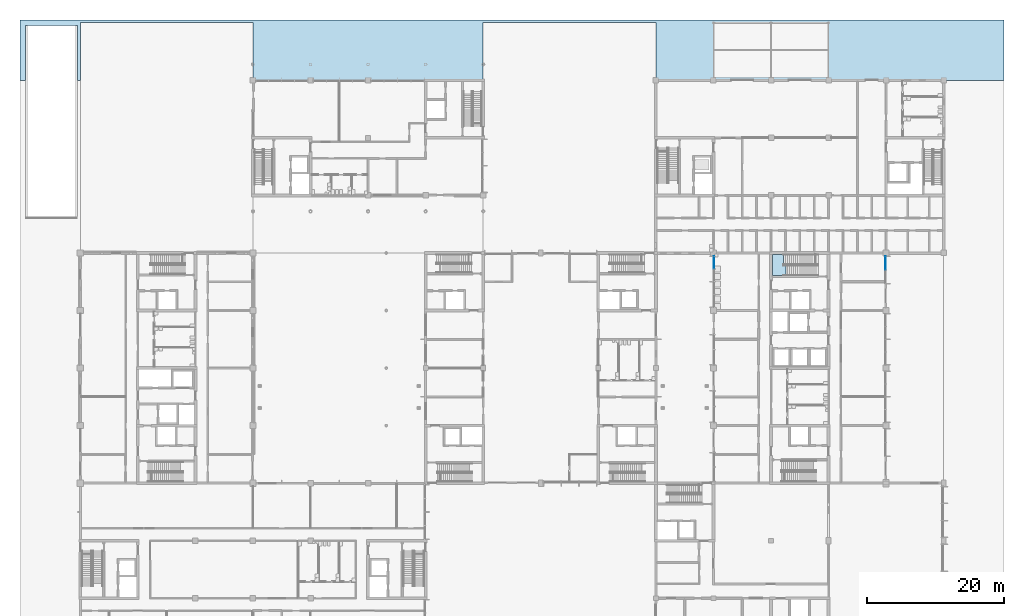
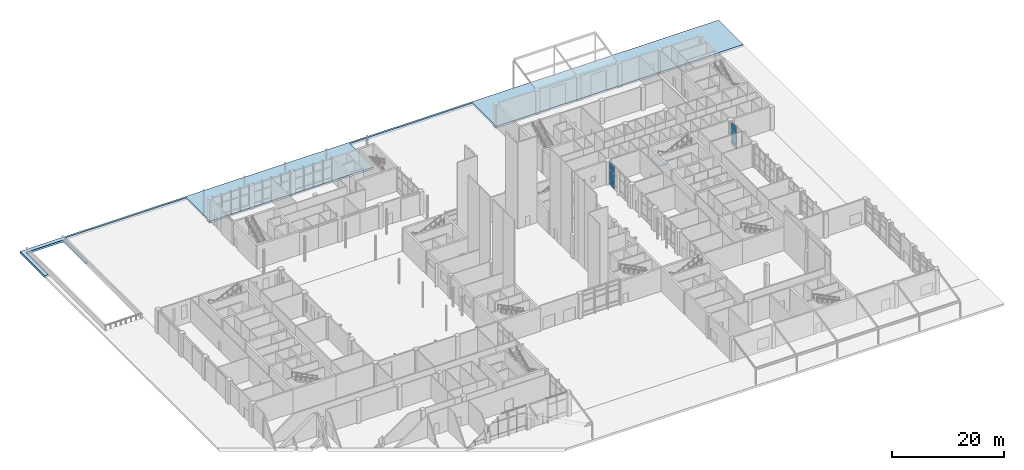
# One storey, part 30 of 76: 6 plates, 2 slabs, 3 elements without a shape of their own.
"""IFC4 building model written with IfcOpenShell, lengths in metres."""

from ifc_helpers import new_model, si_unit, direction, frame, origin, origin_2d, place, context, subcontext, project, spatial, polyline, rectangle, outline, extrude, material, layer, layer_set, type_object, element, aggregate, save


model = new_model("IFC4")

# Units and contexts
model_context = context("Model", 3, precision=1e-05, world=origin(), true_north=direction((0.0, 1.0)))
body_context = subcontext(model_context, "Body", "Model", "MODEL_VIEW")
ifc_project = project(units=[si_unit("LENGTHUNIT", "METRE"), si_unit("AREAUNIT", "SQUARE_METRE"), si_unit("VOLUMEUNIT", "CUBIC_METRE"), si_unit("PLANEANGLEUNIT", "RADIAN"), si_unit("MASSUNIT", "GRAM", prefix="KILO")], contexts=[model_context])

# Site, building, storey
site_placement = place(None, origin())
site = spatial("IfcSite", under=ifc_project, at=site_placement, CompositionType="ELEMENT")
building_placement = place(site_placement, origin())
building = spatial("IfcBuilding", under=site, at=building_placement, Name="Hlaing Beacon Police Headquarters", CompositionType="ELEMENT")
storey_placement = place(building_placement, origin())
storey = spatial("IfcBuildingStorey", under=building, at=storey_placement, Name="L00", CompositionType="ELEMENT", Elevation=0.0)

# Curtain wall, plates
ifc_material_1 = material(Name="Aluminium frame with solar control glazing", Category="aluminium")
curtain_wall_type_1 = type_object("IfcCurtainWallType", Name="Unitised curtain wall 4.05 x 5.05", PredefinedType="NOTDEFINED", material=ifc_material_1)
curtain_wall_1_placement = place(storey_placement, origin())
curtain_wall_1 = element("IfcCurtainWall", 1, at=curtain_wall_1_placement, inside=storey, type_object=curtain_wall_type_1, Name="ENV-CW-L00-E015", PredefinedType="NOTDEFINED")
ifc_material_2 = material(Name="Solar control glazing", Category="glass")
ifc_layer_1 = layer(ifc_material_2, 0.031982421875)
ifc_layer_set_1 = layer_set([ifc_layer_1], Name="Solar control glazing")
plate_type_1 = type_object("IfcPlateType", Name="Clear glazing panel 32", PredefinedType="CURTAIN_PANEL", material=ifc_layer_set_1)
plate_1_placement = place(storey_placement, frame((125.89990234375, 65.722412109375, 3.349853515625), z_axis=(0.0, 0.0, 1.0), x_axis=(0.0, 1.0, 0.0)))
plate_1 = element("IfcPlate", 2, at=plate_1_placement, type_object=plate_type_1, Name="CW-L00-E015 panel 2.3", PredefinedType="CURTAIN_PANEL", context=body_context, shape_type="SweptSolid", body=[
    extrude(rectangle(XDim=1.93505859375, YDim=0.031982421875, at=origin_2d()), origin(), (0.0, 0.0, 1.0), 1.60009765625),
])
ifc_material_3 = material(Name="Solar control glazing", Category="glass")
ifc_layer_2 = layer(ifc_material_3, 0.0439453125)
ifc_layer_set_2 = layer_set([ifc_layer_2], Name="Solar control glazing")
plate_type_2 = type_object("IfcPlateType", Name="Clear glazing panel 44", PredefinedType="CURTAIN_PANEL", material=ifc_layer_set_2)
plate_2_placement = place(storey_placement, frame((125.89990234375, 65.722412109375, 0.9501953125), z_axis=(0.0, 0.0, 1.0), x_axis=(0.0, 1.0, 0.0)))
plate_2 = element("IfcPlate", 3, at=plate_2_placement, type_object=plate_type_2, Name="CW-L00-E015 panel 2.2", PredefinedType="CURTAIN_PANEL", context=body_context, shape_type="SweptSolid", body=[
    extrude(rectangle(XDim=1.93505859375, YDim=0.0439453125, at=origin_2d()), origin(), (0.0, 0.0, 1.0), 2.300048828125),
])

# Slab
ifc_material_4 = material(Name="Concrete C50/60", Category="concrete")
ifc_layer_3 = layer(ifc_material_4, 0.449951171875)
ifc_layer_set_3 = layer_set([ifc_layer_3], Name="Concrete C50/60")
slab_type_1 = type_object("IfcSlabType", Name="Deck slab 450", PredefinedType="FLOOR", material=ifc_layer_set_3)
slab_1_placement = place(storey_placement, frame((0.0, 0.0, -0.449951171875)))
element("IfcSlab", 4, at=slab_1_placement, inside=storey, type_object=slab_type_1, Name="STR-SLAB-L00-12", PredefinedType="FLOOR", context=body_context, shape_type="SweptSolid", body=[
    extrude(outline(polyline([(-0.39990234375, 92.39990234375), (0.39990234375, 92.39990234375), (0.39990234375, 100.39990234375), (8.0, 100.39990234375), (8.0, 92.39990234375), (8.39990234375, 92.39990234375), (8.39990234375, 100.800048828125), (33.60009765625, 100.800048828125), (33.60009765625, 92.39990234375), (67.199951171875, 92.39990234375), (67.199951171875, 100.800048828125), (92.39990234375, 100.800048828125), (92.39990234375, 92.39990234375), (143.199951171875, 92.39990234375), (143.199951171875, 101.199951171875), (-0.39990234375, 101.199951171875), (-0.39990234375, 92.39990234375)])), origin(), (0.0, 0.0, 1.0), 0.449951171875),
])

# Curtain wall, plates
ifc_material_5 = material(Name="Aluminium frame with solar control glazing", Category="aluminium")
curtain_wall_type_2 = type_object("IfcCurtainWallType", Name="Unitised curtain wall 7.50 x 5.05", PredefinedType="NOTDEFINED", material=ifc_material_5)
curtain_wall_2_placement = place(storey_placement, origin())
curtain_wall_2 = element("IfcCurtainWall", 5, at=curtain_wall_2_placement, inside=storey, type_object=curtain_wall_type_2, Name="ENV-CW-L00-W016", PredefinedType="NOTDEFINED")
ifc_material_6 = material(Name="Fritted solar control glazing", Category="glass")
ifc_layer_4 = layer(ifc_material_6, 0.031982421875)
ifc_layer_set_4 = layer_set([ifc_layer_4], Name="Fritted solar control glazing")
plate_type_3 = type_object("IfcPlateType", Name="Fritted glazing panel 32", PredefinedType="CURTAIN_PANEL", material=ifc_layer_set_4)
plate_3_placement = place(storey_placement, frame((100.89990234375, 65.797607421875, 3.349853515625), z_axis=(0.0, 0.0, 1.0), x_axis=(0.0, -1.0, 0.0)))
plate_3 = element("IfcPlate", 6, at=plate_3_placement, type_object=plate_type_3, Name="CW-L00-W016 panel 1.3", PredefinedType="CURTAIN_PANEL", context=body_context, shape_type="SweptSolid", body=[
    extrude(rectangle(XDim=1.784912109375, YDim=0.031982421875, at=origin_2d()), origin(), (0.0, 0.0, 1.0), 1.60009765625),
])
ifc_material_7 = material(Name="Fritted solar control glazing", Category="glass")
ifc_layer_5 = layer(ifc_material_7, 0.0439453125)
ifc_layer_set_5 = layer_set([ifc_layer_5], Name="Fritted solar control glazing")
plate_type_4 = type_object("IfcPlateType", Name="Fritted glazing panel 44", PredefinedType="CURTAIN_PANEL", material=ifc_layer_set_5)
plate_4_placement = place(storey_placement, frame((100.89990234375, 65.797607421875, 0.9501953125), z_axis=(0.0, 0.0, 1.0), x_axis=(0.0, -1.0, 0.0)))
plate_4 = element("IfcPlate", 7, at=plate_4_placement, type_object=plate_type_4, Name="CW-L00-W016 panel 1.2", PredefinedType="CURTAIN_PANEL", context=body_context, shape_type="SweptSolid", body=[
    extrude(rectangle(XDim=1.784912109375, YDim=0.0439453125, at=origin_2d()), origin(), (0.0, 0.0, 1.0), 2.300048828125),
])

# Plate
ifc_material_8 = material(Name="Insulated aluminium spandrel", Category="aluminium")
ifc_layer_6 = layer(ifc_material_8, 0.10009765625)
ifc_layer_set_6 = layer_set([ifc_layer_6], Name="Insulated aluminium spandrel")
plate_type_5 = type_object("IfcPlateType", Name="Insulated spandrel panel 100", PredefinedType="CURTAIN_PANEL", material=ifc_layer_set_6)
plate_5_placement = place(storey_placement, frame((125.89990234375, 65.722412109375, 0.10009765625), z_axis=(0.0, 0.0, 1.0), x_axis=(0.0, 1.0, 0.0)))
plate_5 = element("IfcPlate", 8, at=plate_5_placement, type_object=plate_type_5, Name="CW-L00-E015 panel 2.1", PredefinedType="CURTAIN_PANEL", context=body_context, shape_type="SweptSolid", body=[
    extrude(rectangle(XDim=1.93505859375, YDim=0.10009765625, at=origin_2d()), origin(), (0.0, 0.0, 1.0), 0.75),
])

aggregate(curtain_wall_1, [plate_5, plate_2, plate_1])

plate_6_placement = place(storey_placement, frame((100.89990234375, 65.797607421875, 0.10009765625), z_axis=(0.0, 0.0, 1.0), x_axis=(0.0, -1.0, 0.0)))
plate_6 = element("IfcPlate", 9, at=plate_6_placement, type_object=plate_type_5, Name="CW-L00-W016 panel 1.1", PredefinedType="CURTAIN_PANEL", context=body_context, shape_type="SweptSolid", body=[
    extrude(rectangle(XDim=1.784912109375, YDim=0.10009765625, at=origin_2d()), origin(), (0.0, 0.0, 1.0), 0.75),
])

aggregate(curtain_wall_2, [plate_6, plate_4, plate_3])

# Stair, slab
ifc_material_9 = material(Name="Concrete C40/50", Category="concrete")
stair_type = type_object("IfcStairType", Name="Half-turn stair 1500 wide, 5400 rise", PredefinedType="HALF_TURN_STAIR", material=ifc_material_9)
stair_placement = place(storey_placement, origin())
stair = element("IfcStair", 10, at=stair_placement, inside=storey, type_object=stair_type, Name="Stair ST-M", PredefinedType="HALF_TURN_STAIR")
ifc_material_10 = material(Name="Concrete C40/50", Category="concrete")
ifc_layer_7 = layer(ifc_material_10, 0.219970703125)
ifc_layer_set_7 = layer_set([ifc_layer_7], Name="Concrete C40/50")
slab_type_2 = type_object("IfcSlabType", Name="Stair landing 220", PredefinedType="LANDING", material=ifc_layer_set_7)
slab_2_placement = place(storey_placement, frame((0.0, 0.0, 2.47998046875)))
slab_2 = element("IfcSlab", 11, at=slab_2_placement, type_object=slab_type_2, Name="ST-M landing 1", PredefinedType="LANDING", context=body_context, shape_type="SweptSolid", body=[
    extrude(outline(polyline([(111.010009765625, 67.0), (109.39990234375, 67.0), (109.39990234375, 63.89990234375), (111.39990234375, 63.89990234375), (111.39990234375, 65.39990234375), (111.010009765625, 65.39990234375), (111.010009765625, 67.0)])), origin(), (0.0, 0.0, 1.0), 0.219970703125),
])
aggregate(stair, [slab_2])

save(model, "model.ifc")
